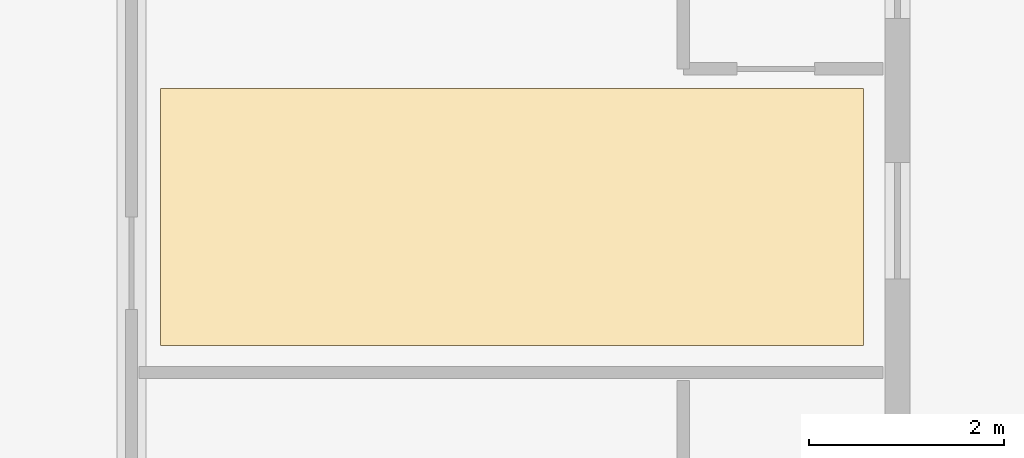
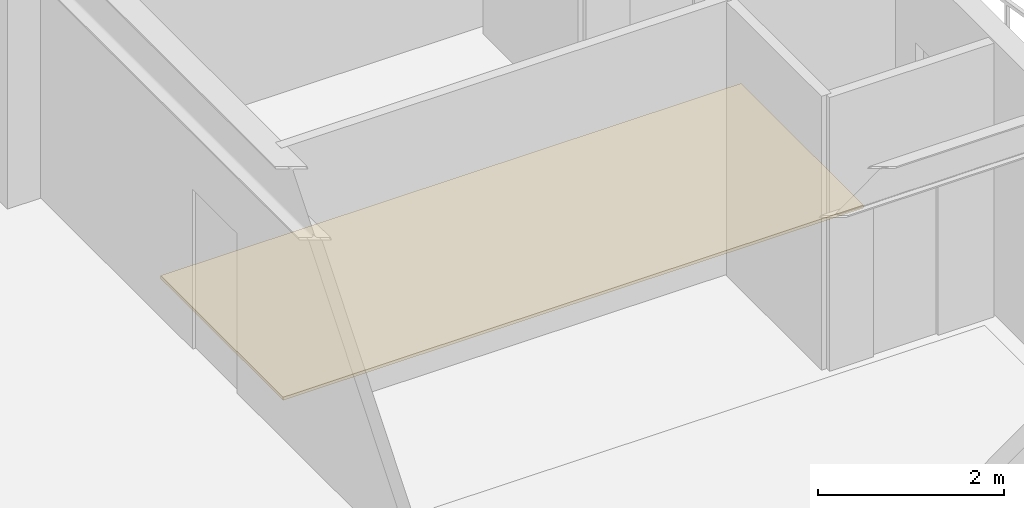
# One storey, part 12 of 13: 1 covering.
"""IFC4 building model written with IfcOpenShell, lengths in metres."""

import ifcopenshell
import ifcopenshell.guid

model = None  # the IFC model being written
_history = None  # IfcOwnerHistory: only IFC2X3 demands one
_inside = {}  # id of a spatial element -> (the spatial element, [elements in it])
_under = {}  # id of a project, library or spatial element -> (it, [spatial elements below it])
_declared = {}  # id of a project -> (the project, [libraries it declares])
_typed = {}  # id of a type object -> (the type object, [elements of that type])
_made_of = {}  # id of a material, layer set ... -> (it, [elements and type objects made of it])


def new_model(schema):
    """Start an empty IFC model of exactly this schema.

    Asked for "IFC4X3", IfcOpenShell would pick the latest addendum, in which some entities
    have other attributes; the version numbers below select the first issue.
    IFC2X3 requires an IfcOwnerHistory on every rooted entity: one is made here for all.
    """
    global model, _history
    if schema == "IFC4X3":
        model = ifcopenshell.file(schema_version=(4, 3, 0, 0))
    else:
        model = ifcopenshell.file(schema=schema)
    _inside.clear()
    _under.clear()
    _declared.clear()
    _typed.clear()
    _made_of.clear()
    _history = None
    if model.schema == "IFC2X3":
        org = make("IfcOrganization", Name="unknown")
        user = make(
            "IfcPersonAndOrganization",
            ThePerson=make("IfcPerson", FamilyName="unknown"),
            TheOrganization=org,
        )
        app = make(
            "IfcApplication",
            ApplicationDeveloper=org,
            Version="unknown",
            ApplicationFullName="unknown",
            ApplicationIdentifier="unknown",
        )
        _history = make(
            "IfcOwnerHistory",
            OwningUser=user,
            OwningApplication=app,
            ChangeAction="ADDED",
            CreationDate=0,
        )
    return model


def make(cls, **values):
    """One entity of the class cls with the attributes given. An attribute that is None is left unset."""
    return model.create_entity(
        cls, **{name: value for name, value in values.items() if value is not None}
    )


def rooted(cls, **values):
    """An entity with a GlobalId (a new one), such as an element, a storey or a relation."""
    return make(cls, GlobalId=ifcopenshell.guid.new(), OwnerHistory=_history, **values)


def si_unit(unit_type, name, prefix=None):
    """IfcSIUnit, for example si_unit("LENGTHUNIT", "METRE", prefix="MILLI")."""
    return make("IfcSIUnit", UnitType=unit_type, Prefix=prefix, Name=name)


def assignment(units):
    """IfcUnitAssignment: the units of a project."""
    return None if units is None else make("IfcUnitAssignment", Units=units)


def point(xyz):
    """IfcCartesianPoint."""
    return None if xyz is None else make("IfcCartesianPoint", Coordinates=xyz)


def direction(xyz):
    """IfcDirection."""
    return None if xyz is None else make("IfcDirection", DirectionRatios=xyz)


def frame(location, z_axis=None, x_axis=None):
    """IfcAxis2Placement3D, a coordinate frame: its origin and axes. An axis left out is left unset."""
    return make(
        "IfcAxis2Placement3D",
        Location=point(location),
        Axis=direction(z_axis),
        RefDirection=direction(x_axis),
    )


def origin():
    """The frame at (0, 0, 0) with its axes left unset."""
    return frame((0.0, 0.0, 0.0))


def place(relative_to, where):
    """IfcLocalPlacement: puts the frame where relative to a parent placement (None: the world)."""
    return make(
        "IfcLocalPlacement", PlacementRelTo=relative_to, RelativePlacement=where
    )


def context(
    kind, dimensions, precision=None, world=None, true_north=None, identifier=None
):
    """IfcGeometricRepresentationContext, for example the 3D "Model" context."""
    return make(
        "IfcGeometricRepresentationContext",
        ContextIdentifier=identifier,
        ContextType=kind,
        CoordinateSpaceDimension=dimensions,
        Precision=precision,
        WorldCoordinateSystem=world,
        TrueNorth=true_north,
    )


def subcontext(parent, identifier, kind, view, scale=None):
    """IfcGeometricRepresentationSubContext, for example "Body" below "Model"."""
    return make(
        "IfcGeometricRepresentationSubContext",
        ContextIdentifier=identifier,
        ContextType=kind,
        ParentContext=parent,
        TargetScale=scale,
        TargetView=view,
    )


def project(units=None, contexts=None):
    """IfcProject with its units and contexts."""
    return rooted(
        "IfcProject",
        Name="project",
        RepresentationContexts=contexts,
        UnitsInContext=assignment(units),
    )


def spatial(cls, under=None, at=None, **own):
    """A site, building, storey or space (cls), placed at a placement, below another one or the project."""
    s = rooted(cls, ObjectPlacement=at, **own)
    if under is not None:
        _under.setdefault(under.id(), (under, []))[1].append(s)
    return s


def polyline(points):
    """IfcPolyline through the points."""
    return make("IfcPolyline", Points=[point(p) for p in points])


def outline(outer, holes=None, kind="AREA"):
    """IfcArbitraryClosedProfileDef: a profile drawn as a closed curve; with holes, ...WithVoids."""
    if holes is None:
        return make("IfcArbitraryClosedProfileDef", ProfileType=kind, OuterCurve=outer)
    return make(
        "IfcArbitraryProfileDefWithVoids",
        ProfileType=kind,
        OuterCurve=outer,
        InnerCurves=holes,
    )


def extrude(swept, where, along, depth):
    """IfcExtrudedAreaSolid: the profile swept, set in the frame where, extruded along a direction by depth."""
    return make(
        "IfcExtrudedAreaSolid",
        SweptArea=swept,
        Position=where,
        ExtrudedDirection=direction(along),
        Depth=depth,
    )


def shape(context_of_items, identifier, shape_type, items):
    """IfcShapeRepresentation: the items that make up one representation, for example the "Body"."""
    return make(
        "IfcShapeRepresentation",
        ContextOfItems=context_of_items,
        RepresentationIdentifier=identifier,
        RepresentationType=shape_type,
        Items=items,
    )


def material(Name=None, Category=None):
    """IfcMaterial."""
    return make("IfcMaterial", Name=Name, Category=Category)


def layer(
    of_material, thickness, ventilated=None, Name=None, Category=None, Priority=None
):
    """IfcMaterialLayer: one layer of a wall or slab, of a material (None: an air gap)."""
    return make(
        "IfcMaterialLayer",
        Material=of_material,
        LayerThickness=thickness,
        IsVentilated=ventilated,
        Name=Name,
        Category=Category,
        Priority=Priority,
    )


def layer_set(layers, Name=None):
    """IfcMaterialLayerSet."""
    return make("IfcMaterialLayerSet", MaterialLayers=layers, LayerSetName=Name)


def made_of(thing, what):
    """Note that an element or type object is made of a material, layer set ...; save() writes the relation."""
    if what is not None:
        _made_of.setdefault(what.id(), (what, []))[1].append(thing)
    return thing


def type_object(cls, material=None, **own):
    """A type object (cls), such as IfcWallType, which elements share."""
    return made_of(rooted(cls, **own), material)


def element(
    cls,
    number,
    at=None,
    inside=None,
    cuts=None,
    type_object=None,
    material=None,
    context=None,
    identifier="Body",
    shape_type=None,
    held_by="IfcProductDefinitionShape",
    body=None,
    shapes=None,
    **own,
):
    """One element of the class cls, such as IfcWall. Its Tag is "e" and its number.

    at: its placement. inside: the storey or other place that contains it. cuts: it is an
    opening in that element (IfcRelVoidsElement). A single representation is given by context,
    identifier, shape_type and body (its items); several are given by shapes. held_by: the class
    of the entity that holds the representations. save() writes the other relations.
    """
    e = rooted(cls, Tag="e%d" % number, ObjectPlacement=at, **own)
    if body is not None:
        shapes = [shape(context, identifier, shape_type, body)]
    if shapes is not None:
        e.Representation = make(held_by, Representations=shapes)
    if inside is not None:
        _inside.setdefault(inside.id(), (inside, []))[1].append(e)
    if cuts is not None:
        rooted(
            "IfcRelVoidsElement", RelatingBuildingElement=cuts, RelatedOpeningElement=e
        )
    if type_object is not None:
        _typed.setdefault(type_object.id(), (type_object, []))[1].append(e)
    return made_of(e, material)


def aggregate(whole, parts):
    """IfcRelAggregates: a whole, such as a stair, and the parts it consists of."""
    return rooted("IfcRelAggregates", RelatingObject=whole, RelatedObjects=parts)


def save(model, path):
    """Write the relations noted so far, then the file.

    IfcRelAggregates (storeys below a building ...), IfcRelContainedInSpatialStructure (elements
    in a storey), IfcRelDefinesByType, IfcRelAssociatesMaterial and IfcRelDeclares: one each for
    every whole, place, type object, material and project.
    """
    for whole, parts in _under.values():
        aggregate(whole, parts)
    for where, things in _inside.values():
        rooted(
            "IfcRelContainedInSpatialStructure",
            RelatedElements=things,
            RelatingStructure=where,
        )
    for kind, things in _typed.values():
        rooted("IfcRelDefinesByType", RelatedObjects=things, RelatingType=kind)
    for what, things in _made_of.values():
        rooted("IfcRelAssociatesMaterial", RelatedObjects=things, RelatingMaterial=what)
    for by, libraries in _declared.values():
        rooted("IfcRelDeclares", RelatingContext=by, RelatedDefinitions=libraries)
    model.write(path)


model = new_model("IFC4")

# Units and contexts
model_context = context("Model", 3, precision=1e-05, world=origin(), true_north=direction((0.0, 1.0)))
body_context = subcontext(model_context, "Body", "Model", "MODEL_VIEW")
ifc_project = project(units=[si_unit("LENGTHUNIT", "METRE"), si_unit("AREAUNIT", "SQUARE_METRE"), si_unit("VOLUMEUNIT", "CUBIC_METRE"), si_unit("PLANEANGLEUNIT", "RADIAN"), si_unit("MASSUNIT", "GRAM", prefix="KILO")], contexts=[model_context])

# Site, building, storey
site_placement = place(None, origin())
site = spatial("IfcSite", under=ifc_project, at=site_placement, CompositionType="ELEMENT")
building_placement = place(site_placement, origin())
building = spatial("IfcBuilding", under=site, at=building_placement, Name="Kundavana Baori Tower", CompositionType="ELEMENT")
storey_placement = place(building_placement, frame((0.0, 0.0, 161.75)))
storey = spatial("IfcBuildingStorey", under=building, at=storey_placement, Name="L39", CompositionType="ELEMENT", Elevation=161.75)

# Covering
ifc_material = material(Name="Honed Kota Stone and Terrazzo Flooring", Category="masonry")
ifc_layer = layer(ifc_material, 0.0400390625, Name="COV-FLR-TERR-40")
ifc_layer_set = layer_set([ifc_layer], Name="Honed Kota Stone and Terrazzo Flooring")
covering_type = type_object("IfcCoveringType", Name="COV-FLR-TERR-40", PredefinedType="FLOORING", material=ifc_layer_set)
covering_placement = place(storey_placement, origin())
element("IfcCovering", 1, at=covering_placement, inside=storey, type_object=covering_type, Name="L39 Room Finished Stone Flooring 10", PredefinedType="FLOORING", context=body_context, shape_type="SweptSolid", body=[
    extrude(outline(polyline([(43.10009765625, 36.8798828125), (50.320068359375, 36.8798828125), (50.320068359375, 39.52001953125), (43.10009765625, 39.52001953125), (43.10009765625, 36.8798828125)])), origin(), (0.0, 0.0, 1.0), 0.0400390625),
])

save(model, "model.ifc")
